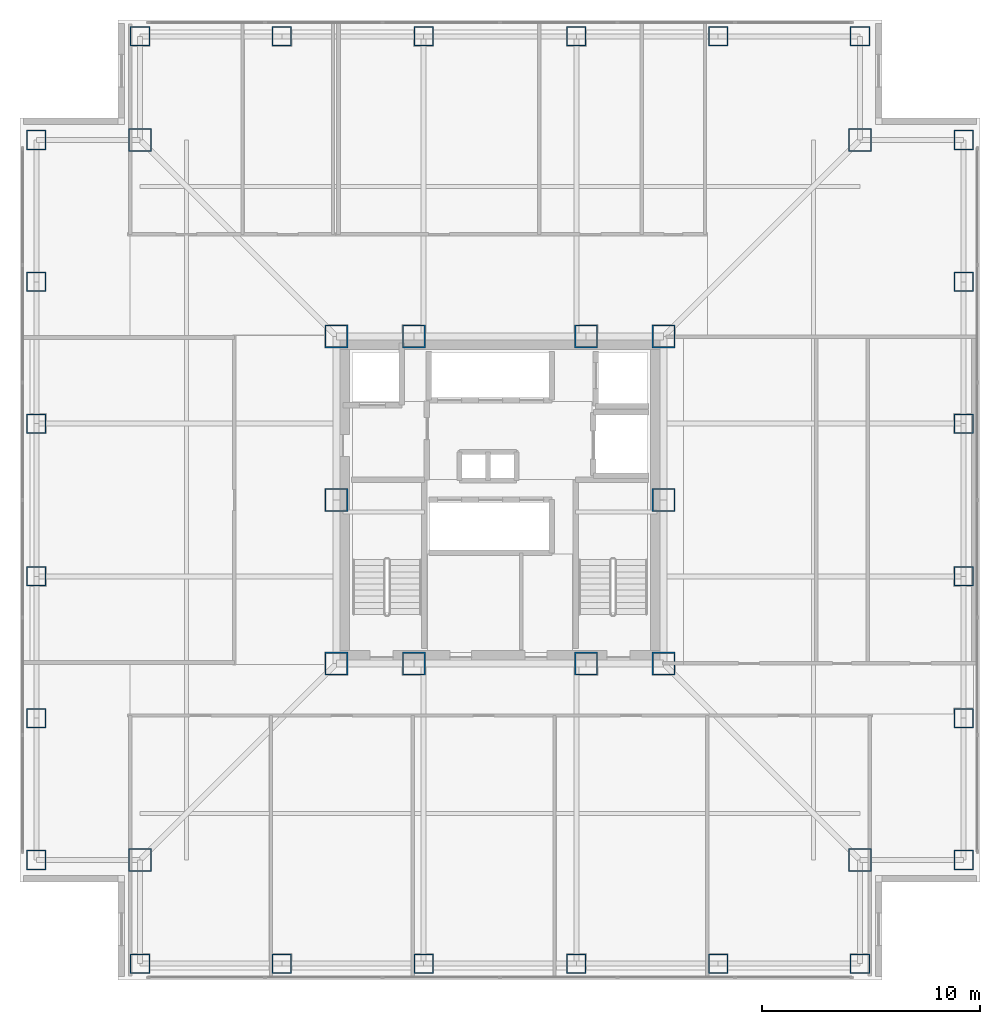
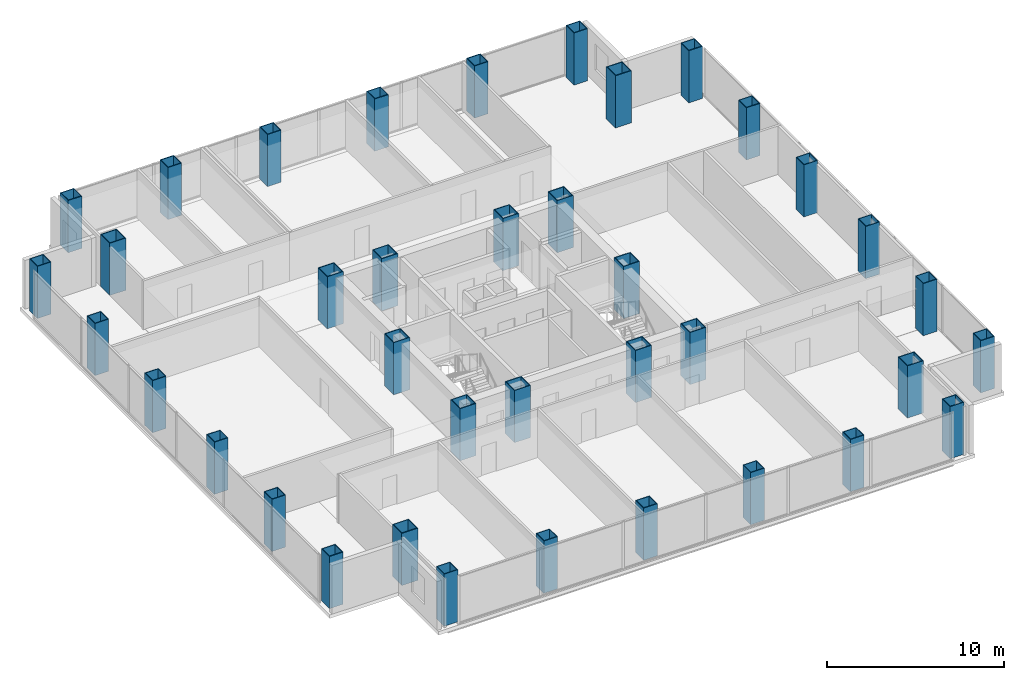
# One storey, part 1 of 17: 38 columns.
"""IFC4 building model written with IfcOpenShell, lengths in metres."""

from ifc_helpers import new_model, si_unit, direction, frame, origin, origin_2d, place, context, subcontext, project, spatial, hollow_rectangle, extrude, material, material_profile, profile_set, type_object, element, save


model = new_model("IFC4")

# Units and contexts
model_context = context("Model", 3, precision=1e-05, world=origin(), true_north=direction((0.0, 1.0)))
body_context = subcontext(model_context, "Body", "Model", "MODEL_VIEW")
ifc_project = project(units=[si_unit("LENGTHUNIT", "METRE"), si_unit("AREAUNIT", "SQUARE_METRE"), si_unit("VOLUMEUNIT", "CUBIC_METRE"), si_unit("PLANEANGLEUNIT", "RADIAN"), si_unit("MASSUNIT", "GRAM", prefix="KILO")], contexts=[model_context])

# Site, building, storey
site_placement = place(None, origin())
site = spatial("IfcSite", under=ifc_project, at=site_placement, CompositionType="ELEMENT")
building_placement = place(site_placement, origin())
building = spatial("IfcBuilding", under=site, at=building_placement, Name="Trevonay Congress Spire", CompositionType="ELEMENT")
storey_placement = place(building_placement, frame((0.0, 0.0, 108.39990234375)))
storey = spatial("IfcBuildingStorey", under=building, at=storey_placement, Name="L27", CompositionType="ELEMENT", Elevation=108.39990234375)

# Columns
ifc_material = material(Name="Steel ASTM A572 Grade 50", Category="steel")
ifc_material_profile_1 = material_profile(ifc_material, hollow_rectangle(XDim=1.050048828125, YDim=1.050048828125, WallThickness=0.050048828125, at=origin_2d()), Name="BOX 1050x1050x50")
ifc_profile_set_1 = profile_set([ifc_material_profile_1], Name="Steel ASTM A572 Grade 50")
column_type_1 = type_object("IfcColumnType", Name="COL-CORE-BOX1050", PredefinedType="COLUMN", material=ifc_profile_set_1)
for number, where, z_axis, x_axis, name in (
    (1, (-7.5, -7.5, 0.0), (0.0, 0.0, 1.0), (1.0, 0.0, 0.0), "L27 column C03 at CC-SW"),
    (2, (-3.949951171875, -7.5, 0.0), (0.0, 0.0, 1.0), (1.0, 0.0, 0.0), "L27 column C03 at CC-SMW"),
    (3, (3.949951171875, -7.5, 0.0), (0.0, 0.0, 1.0), (1.0, 0.0, 0.0), "L27 column C03 at CC-SME"),
    (4, (7.5, -7.5, 0.0), (0.0, 0.0, 1.0), (1.0, 0.0, 0.0), "L27 column C03 at CC-SE"),
    (5, (7.5, 0.0, 0.0), (0.0, 0.0, 1.0), (1.0, 0.0, 0.0), "L27 column C03 at CC-E"),
    (6, (7.5, 7.5, 0.0), (0.0, 0.0, 1.0), (1.0, 0.0, 0.0), "L27 column C03 at CC-NE"),
    (7, (3.949951171875, 7.5, 0.0), (0.0, 0.0, 1.0), (1.0, 0.0, 0.0), "L27 column C03 at CC-NME"),
    (8, (-3.949951171875, 7.5, 0.0), (0.0, 0.0, 1.0), (1.0, 0.0, 0.0), "L27 column C03 at CC-NMW"),
    (9, (-7.5, 7.5, 0.0), (0.0, 0.0, 1.0), (1.0, 0.0, 0.0), "L27 column C03 at CC-NW"),
    (10, (-7.5, 0.0, 0.0), (0.0, 0.0, 1.0), (1.0, 0.0, 0.0), "L27 column C03 at CC-W"),
):
    element("IfcColumn", number, at=place(storey_placement, frame(where, z_axis=z_axis, x_axis=x_axis)), inside=storey, type_object=column_type_1, Name=name, PredefinedType="COLUMN", context=body_context, shape_type="SweptSolid", body=[
        extrude(hollow_rectangle(XDim=1.050048828125, YDim=1.050048828125, WallThickness=0.050048828125, at=origin_2d()), origin(), (0.0, 0.0, 1.0), 3.60009765625),
    ])
ifc_material_profile_2 = material_profile(ifc_material, hollow_rectangle(XDim=1.050048828125, YDim=1.050048828125, WallThickness=0.050048828125, at=origin_2d()), Name="BOX 1050x1050x50")
ifc_profile_set_2 = profile_set([ifc_material_profile_2], Name="Steel ASTM A572 Grade 50")
column_type_2 = type_object("IfcColumnType", Name="COL-TUBE-BOX1050", PredefinedType="COLUMN", material=ifc_profile_set_2)
for number, where, z_axis, x_axis, name in (
    (11, (-16.5, -16.5, 0.0), (0.0, 0.0, 1.0), (1.0, 0.0, 0.0), "L27 column C14 at NC-SW"),
    (12, (16.5, -16.5, 0.0), (0.0, 0.0, 1.0), (1.0, 0.0, 0.0), "L27 column C14 at NC-SE"),
    (13, (16.5, 16.5, 0.0), (0.0, 0.0, 1.0), (1.0, 0.0, 0.0), "L27 column C14 at NC-NE"),
    (14, (-16.5, 16.5, 0.0), (0.0, 0.0, 1.0), (1.0, 0.0, 0.0), "L27 column C14 at NC-NW"),
):
    element("IfcColumn", number, at=place(storey_placement, frame(where, z_axis=z_axis, x_axis=x_axis)), inside=storey, type_object=column_type_2, Name=name, PredefinedType="COLUMN", context=body_context, shape_type="SweptSolid", body=[
        extrude(hollow_rectangle(XDim=1.050048828125, YDim=1.050048828125, WallThickness=0.050048828125, at=origin_2d()), origin(), (0.0, 0.0, 1.0), 3.60009765625),
    ])
ifc_material_profile_3 = material_profile(ifc_material, hollow_rectangle(XDim=0.89990234375, YDim=0.89990234375, WallThickness=0.044921875, at=origin_2d()), Name="BOX 900x900x45")
ifc_profile_set_3 = profile_set([ifc_material_profile_3], Name="Steel ASTM A572 Grade 50")
column_type_3 = type_object("IfcColumnType", Name="COL-TUBE-BOX900", PredefinedType="COLUMN", material=ifc_profile_set_3)
for number, where, z_axis, x_axis, name in (
    (15, (-16.5, -21.25, 0.0), (0.0, 0.0, 1.0), (1.0, 0.0, 0.0), "L27 column C15 at TS-1"),
    (16, (-16.5, 21.25, 0.0), (0.0, 0.0, 1.0), (1.0, 0.0, 0.0), "L27 column C15 at TN-1"),
    (17, (-21.25, -16.5, 0.0), (0.0, 0.0, 1.0), (1.0, 0.0, 0.0), "L27 column C15 at TW-1"),
    (18, (21.25, -16.5, 0.0), (0.0, 0.0, 1.0), (1.0, 0.0, 0.0), "L27 column C15 at TE-1"),
    (19, (-10.0, -21.25, 0.0), (0.0, 0.0, 1.0), (1.0, 0.0, 0.0), "L27 column C15 at TS-2"),
    (20, (-10.0, 21.25, 0.0), (0.0, 0.0, 1.0), (1.0, 0.0, 0.0), "L27 column C15 at TN-2"),
    (21, (-21.25, -10.0, 0.0), (0.0, 0.0, 1.0), (1.0, 0.0, 0.0), "L27 column C15 at TW-2"),
    (22, (21.25, -10.0, 0.0), (0.0, 0.0, 1.0), (1.0, 0.0, 0.0), "L27 column C15 at TE-2"),
    (23, (-3.5, -21.25, 0.0), (0.0, 0.0, 1.0), (1.0, 0.0, 0.0), "L27 column C15 at TS-3"),
    (24, (-3.5, 21.25, 0.0), (0.0, 0.0, 1.0), (1.0, 0.0, 0.0), "L27 column C15 at TN-3"),
    (25, (-21.25, -3.5, 0.0), (0.0, 0.0, 1.0), (1.0, 0.0, 0.0), "L27 column C15 at TW-3"),
    (26, (21.25, -3.5, 0.0), (0.0, 0.0, 1.0), (1.0, 0.0, 0.0), "L27 column C15 at TE-3"),
    (27, (3.5, -21.25, 0.0), (0.0, 0.0, 1.0), (1.0, 0.0, 0.0), "L27 column C15 at TS-4"),
    (28, (3.5, 21.25, 0.0), (0.0, 0.0, 1.0), (1.0, 0.0, 0.0), "L27 column C15 at TN-4"),
    (29, (-21.25, 3.5, 0.0), (0.0, 0.0, 1.0), (1.0, 0.0, 0.0), "L27 column C15 at TW-4"),
    (30, (21.25, 3.5, 0.0), (0.0, 0.0, 1.0), (1.0, 0.0, 0.0), "L27 column C15 at TE-4"),
    (31, (10.0, -21.25, 0.0), (0.0, 0.0, 1.0), (1.0, 0.0, 0.0), "L27 column C15 at TS-5"),
    (32, (10.0, 21.25, 0.0), (0.0, 0.0, 1.0), (1.0, 0.0, 0.0), "L27 column C15 at TN-5"),
    (33, (-21.25, 10.0, 0.0), (0.0, 0.0, 1.0), (1.0, 0.0, 0.0), "L27 column C15 at TW-5"),
    (34, (21.25, 10.0, 0.0), (0.0, 0.0, 1.0), (1.0, 0.0, 0.0), "L27 column C15 at TE-5"),
    (35, (16.5, -21.25, 0.0), (0.0, 0.0, 1.0), (1.0, 0.0, 0.0), "L27 column C15 at TS-6"),
    (36, (16.5, 21.25, 0.0), (0.0, 0.0, 1.0), (1.0, 0.0, 0.0), "L27 column C15 at TN-6"),
    (37, (-21.25, 16.5, 0.0), (0.0, 0.0, 1.0), (1.0, 0.0, 0.0), "L27 column C15 at TW-6"),
    (38, (21.25, 16.5, 0.0), (0.0, 0.0, 1.0), (1.0, 0.0, 0.0), "L27 column C15 at TE-6"),
):
    element("IfcColumn", number, at=place(storey_placement, frame(where, z_axis=z_axis, x_axis=x_axis)), inside=storey, type_object=column_type_3, Name=name, PredefinedType="COLUMN", context=body_context, shape_type="SweptSolid", body=[
        extrude(hollow_rectangle(XDim=0.89990234375, YDim=0.89990234375, WallThickness=0.044921875, at=origin_2d()), origin(), (0.0, 0.0, 1.0), 3.60009765625),
    ])

save(model, "model.ifc")
